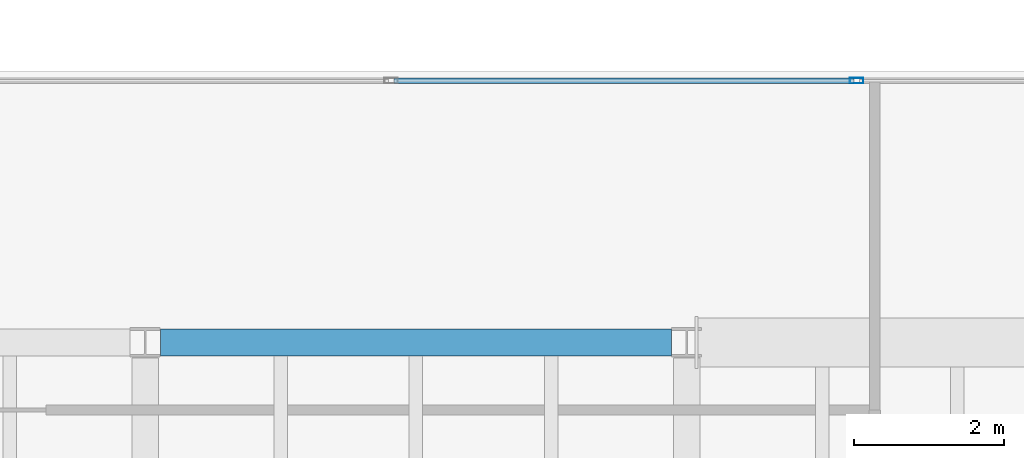
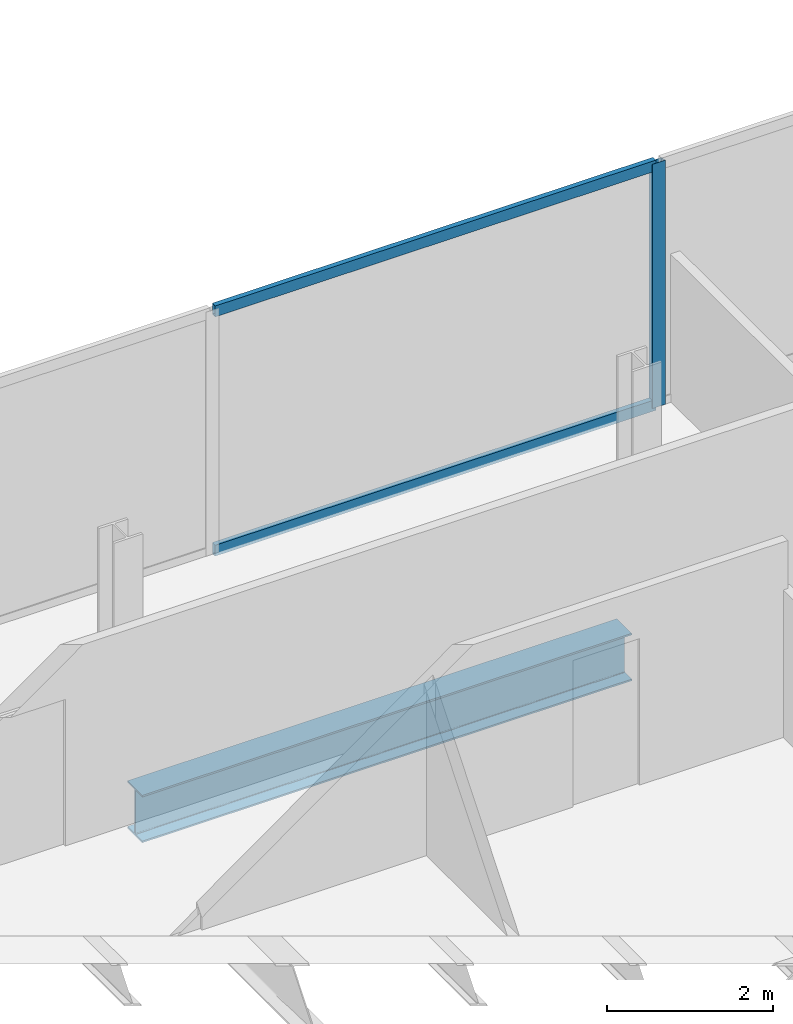
# One storey, part 14 of 23: 3 members, 1 beam, 1 element without a shape of its own.
"""IFC4 building model written with IfcOpenShell, lengths in metres."""

import ifcopenshell
import ifcopenshell.guid

model = None  # the IFC model being written
_history = None  # IfcOwnerHistory: only IFC2X3 demands one
_inside = {}  # id of a spatial element -> (the spatial element, [elements in it])
_under = {}  # id of a project, library or spatial element -> (it, [spatial elements below it])
_declared = {}  # id of a project -> (the project, [libraries it declares])
_typed = {}  # id of a type object -> (the type object, [elements of that type])
_made_of = {}  # id of a material, layer set ... -> (it, [elements and type objects made of it])


def new_model(schema):
    """Start an empty IFC model of exactly this schema.

    Asked for "IFC4X3", IfcOpenShell would pick the latest addendum, in which some entities
    have other attributes; the version numbers below select the first issue.
    IFC2X3 requires an IfcOwnerHistory on every rooted entity: one is made here for all.
    """
    global model, _history
    if schema == "IFC4X3":
        model = ifcopenshell.file(schema_version=(4, 3, 0, 0))
    else:
        model = ifcopenshell.file(schema=schema)
    _inside.clear()
    _under.clear()
    _declared.clear()
    _typed.clear()
    _made_of.clear()
    _history = None
    if model.schema == "IFC2X3":
        org = make("IfcOrganization", Name="unknown")
        user = make(
            "IfcPersonAndOrganization",
            ThePerson=make("IfcPerson", FamilyName="unknown"),
            TheOrganization=org,
        )
        app = make(
            "IfcApplication",
            ApplicationDeveloper=org,
            Version="unknown",
            ApplicationFullName="unknown",
            ApplicationIdentifier="unknown",
        )
        _history = make(
            "IfcOwnerHistory",
            OwningUser=user,
            OwningApplication=app,
            ChangeAction="ADDED",
            CreationDate=0,
        )
    return model


def make(cls, **values):
    """One entity of the class cls with the attributes given. An attribute that is None is left unset."""
    return model.create_entity(
        cls, **{name: value for name, value in values.items() if value is not None}
    )


def rooted(cls, **values):
    """An entity with a GlobalId (a new one), such as an element, a storey or a relation."""
    return make(cls, GlobalId=ifcopenshell.guid.new(), OwnerHistory=_history, **values)


def si_unit(unit_type, name, prefix=None):
    """IfcSIUnit, for example si_unit("LENGTHUNIT", "METRE", prefix="MILLI")."""
    return make("IfcSIUnit", UnitType=unit_type, Prefix=prefix, Name=name)


def assignment(units):
    """IfcUnitAssignment: the units of a project."""
    return None if units is None else make("IfcUnitAssignment", Units=units)


def point(xyz):
    """IfcCartesianPoint."""
    return None if xyz is None else make("IfcCartesianPoint", Coordinates=xyz)


def direction(xyz):
    """IfcDirection."""
    return None if xyz is None else make("IfcDirection", DirectionRatios=xyz)


def frame(location, z_axis=None, x_axis=None):
    """IfcAxis2Placement3D, a coordinate frame: its origin and axes. An axis left out is left unset."""
    return make(
        "IfcAxis2Placement3D",
        Location=point(location),
        Axis=direction(z_axis),
        RefDirection=direction(x_axis),
    )


def frame_2d(location, x_axis=None):
    """IfcAxis2Placement2D, a coordinate frame in the plane: its origin and x axis."""
    return make(
        "IfcAxis2Placement2D", Location=point(location), RefDirection=direction(x_axis)
    )


def origin():
    """The frame at (0, 0, 0) with its axes left unset."""
    return frame((0.0, 0.0, 0.0))


def origin_2d():
    """The frame at (0, 0) in the plane with its x axis left unset."""
    return frame_2d((0.0, 0.0))


def place(relative_to, where):
    """IfcLocalPlacement: puts the frame where relative to a parent placement (None: the world)."""
    return make(
        "IfcLocalPlacement", PlacementRelTo=relative_to, RelativePlacement=where
    )


def context(
    kind, dimensions, precision=None, world=None, true_north=None, identifier=None
):
    """IfcGeometricRepresentationContext, for example the 3D "Model" context."""
    return make(
        "IfcGeometricRepresentationContext",
        ContextIdentifier=identifier,
        ContextType=kind,
        CoordinateSpaceDimension=dimensions,
        Precision=precision,
        WorldCoordinateSystem=world,
        TrueNorth=true_north,
    )


def subcontext(parent, identifier, kind, view, scale=None):
    """IfcGeometricRepresentationSubContext, for example "Body" below "Model"."""
    return make(
        "IfcGeometricRepresentationSubContext",
        ContextIdentifier=identifier,
        ContextType=kind,
        ParentContext=parent,
        TargetScale=scale,
        TargetView=view,
    )


def project(units=None, contexts=None):
    """IfcProject with its units and contexts."""
    return rooted(
        "IfcProject",
        Name="project",
        RepresentationContexts=contexts,
        UnitsInContext=assignment(units),
    )


def spatial(cls, under=None, at=None, **own):
    """A site, building, storey or space (cls), placed at a placement, below another one or the project."""
    s = rooted(cls, ObjectPlacement=at, **own)
    if under is not None:
        _under.setdefault(under.id(), (under, []))[1].append(s)
    return s


def profile(cls, at=None, kind="AREA", **sizes):
    """A parametric profile (cls). Its sizes go by their IFC names, for example OverallWidth=200.0."""
    return make(cls, ProfileType=kind, Position=at, **sizes)


def hollow_rectangle(**sizes):
    """IfcRectangleHollowProfileDef."""
    return profile("IfcRectangleHollowProfileDef", **sizes)


def i_section(**sizes):
    """IfcIShapeProfileDef."""
    return profile("IfcIShapeProfileDef", **sizes)


def extrude(swept, where, along, depth):
    """IfcExtrudedAreaSolid: the profile swept, set in the frame where, extruded along a direction by depth."""
    return make(
        "IfcExtrudedAreaSolid",
        SweptArea=swept,
        Position=where,
        ExtrudedDirection=direction(along),
        Depth=depth,
    )


def shape(context_of_items, identifier, shape_type, items):
    """IfcShapeRepresentation: the items that make up one representation, for example the "Body"."""
    return make(
        "IfcShapeRepresentation",
        ContextOfItems=context_of_items,
        RepresentationIdentifier=identifier,
        RepresentationType=shape_type,
        Items=items,
    )


def material(Name=None, Category=None):
    """IfcMaterial."""
    return make("IfcMaterial", Name=Name, Category=Category)


def material_profile(
    of_material, cross_section, Name=None, Category=None, Priority=None
):
    """IfcMaterialProfile: a cross section and its material."""
    return make(
        "IfcMaterialProfile",
        Name=Name,
        Material=of_material,
        Profile=cross_section,
        Priority=Priority,
        Category=Category,
    )


def profile_set(profiles, Name=None, composite=None):
    """IfcMaterialProfileSet."""
    return make(
        "IfcMaterialProfileSet",
        Name=Name,
        MaterialProfiles=profiles,
        CompositeProfile=composite,
    )


def made_of(thing, what):
    """Note that an element or type object is made of a material, layer set ...; save() writes the relation."""
    if what is not None:
        _made_of.setdefault(what.id(), (what, []))[1].append(thing)
    return thing


def type_object(cls, material=None, **own):
    """A type object (cls), such as IfcWallType, which elements share."""
    return made_of(rooted(cls, **own), material)


def element(
    cls,
    number,
    at=None,
    inside=None,
    cuts=None,
    type_object=None,
    material=None,
    context=None,
    identifier="Body",
    shape_type=None,
    held_by="IfcProductDefinitionShape",
    body=None,
    shapes=None,
    **own,
):
    """One element of the class cls, such as IfcWall. Its Tag is "e" and its number.

    at: its placement. inside: the storey or other place that contains it. cuts: it is an
    opening in that element (IfcRelVoidsElement). A single representation is given by context,
    identifier, shape_type and body (its items); several are given by shapes. held_by: the class
    of the entity that holds the representations. save() writes the other relations.
    """
    e = rooted(cls, Tag="e%d" % number, ObjectPlacement=at, **own)
    if body is not None:
        shapes = [shape(context, identifier, shape_type, body)]
    if shapes is not None:
        e.Representation = make(held_by, Representations=shapes)
    if inside is not None:
        _inside.setdefault(inside.id(), (inside, []))[1].append(e)
    if cuts is not None:
        rooted(
            "IfcRelVoidsElement", RelatingBuildingElement=cuts, RelatedOpeningElement=e
        )
    if type_object is not None:
        _typed.setdefault(type_object.id(), (type_object, []))[1].append(e)
    return made_of(e, material)


def aggregate(whole, parts):
    """IfcRelAggregates: a whole, such as a stair, and the parts it consists of."""
    return rooted("IfcRelAggregates", RelatingObject=whole, RelatedObjects=parts)


def save(model, path):
    """Write the relations noted so far, then the file.

    IfcRelAggregates (storeys below a building ...), IfcRelContainedInSpatialStructure (elements
    in a storey), IfcRelDefinesByType, IfcRelAssociatesMaterial and IfcRelDeclares: one each for
    every whole, place, type object, material and project.
    """
    for whole, parts in _under.values():
        aggregate(whole, parts)
    for where, things in _inside.values():
        rooted(
            "IfcRelContainedInSpatialStructure",
            RelatedElements=things,
            RelatingStructure=where,
        )
    for kind, things in _typed.values():
        rooted("IfcRelDefinesByType", RelatedObjects=things, RelatingType=kind)
    for what, things in _made_of.values():
        rooted("IfcRelAssociatesMaterial", RelatedObjects=things, RelatingMaterial=what)
    for by, libraries in _declared.values():
        rooted("IfcRelDeclares", RelatingContext=by, RelatedDefinitions=libraries)
    model.write(path)


model = new_model("IFC4")

# Units and contexts
model_context = context("Model", 3, precision=1e-05, world=origin(), true_north=direction((0.0, 1.0)))
body_context = subcontext(model_context, "Body", "Model", "MODEL_VIEW")
ifc_project = project(units=[si_unit("LENGTHUNIT", "METRE"), si_unit("AREAUNIT", "SQUARE_METRE"), si_unit("VOLUMEUNIT", "CUBIC_METRE"), si_unit("PLANEANGLEUNIT", "RADIAN"), si_unit("MASSUNIT", "GRAM", prefix="KILO")], contexts=[model_context])

# Site, building, storey
site_placement = place(None, origin())
site = spatial("IfcSite", under=ifc_project, at=site_placement, CompositionType="ELEMENT")
building_placement = place(site_placement, origin())
building = spatial("IfcBuilding", under=site, at=building_placement, Name="Cobrela Telecom Tower", CompositionType="ELEMENT")
storey_placement = place(building_placement, frame((0.0, 0.0, 156.10009765625)))
storey = spatial("IfcBuildingStorey", under=building, at=storey_placement, Name="L39", CompositionType="ELEMENT", Elevation=156.10009765625)

# Beam
ifc_material_1 = material(Name="Steel ASTM A992 Grade 50", Category="steel")
ifc_material_profile_1 = material_profile(ifc_material_1, i_section(OverallWidth=0.35595703125, OverallDepth=0.696044921875, WebThickness=0.015380859375, FlangeThickness=0.024658203125, FilletRadius=0.01806640625, at=origin_2d()), Name="W27X146")
ifc_profile_set_1 = profile_set([ifc_material_profile_1], Name="Steel ASTM A992 Grade 50")
beam_type = type_object("IfcBeamType", Name="BM-GIRD-05", PredefinedType="USERDEFINED", material=ifc_profile_set_1)
beam_placement = place(storey_placement, frame((29.00439453125, 21.60009765625, -0.6181640625), z_axis=(1.0, 0.0, 0.0), x_axis=(0.0, 1.0, 0.0)))
element("IfcBeam", 1, at=beam_placement, inside=storey, type_object=beam_type, Name="L39 Primary Girder X18", ObjectType="GIRDER", PredefinedType="USERDEFINED", context=body_context, shape_type="SweptSolid", body=[
    extrude(i_section(OverallWidth=0.35595703125, OverallDepth=0.696044921875, WebThickness=0.015380859375, FlangeThickness=0.024658203125, FilletRadius=0.01806640625, at=origin_2d()), origin(), (0.0, 0.0, 1.0), 6.791015625),
])

# Curtain wall, members
ifc_material_2 = material(Name="Anodized Bronze Aluminium 6063-T6", Category="aluminium")
curtain_wall_type = type_object("IfcCurtainWallType", Name="CW-SYS-TEL", PredefinedType="USERDEFINED", material=ifc_material_2)
curtain_wall_placement = place(storey_placement, origin())
curtain_wall = element("IfcCurtainWall", 2, at=curtain_wall_placement, inside=storey, type_object=curtain_wall_type, Name="L39 Unitised Bronze Curtain Wall 11", ObjectType="UNITISED CURTAIN WALL", PredefinedType="USERDEFINED")
ifc_material_profile_2 = material_profile(ifc_material_2, hollow_rectangle(XDim=0.074951171875, YDim=0.179931640625, WallThickness=0.00390625, at=origin_2d()), Name="ALU 75x180x4")
ifc_profile_set_2 = profile_set([ifc_material_profile_2], Name="Anodized Bronze Aluminium 6063-T6")
member_type_1 = type_object("IfcMemberType", Name="CW-SYS-TEL-MUL", PredefinedType="MULLION", material=ifc_profile_set_2)
member_1_placement = place(storey_placement, frame((38.260009765625, 25.080078125, 0.0), z_axis=(0.0, 0.0, 1.0), x_axis=(0.0, 1.0, 0.0)))
member_1 = element("IfcMember", 3, at=member_1_placement, type_object=member_type_1, Name="CW-TEL mullion 3", PredefinedType="MULLION", context=body_context, shape_type="SweptSolid", body=[
    extrude(hollow_rectangle(XDim=0.074951171875, YDim=0.179931640625, WallThickness=0.00390625, at=origin_2d()), origin(), (0.0, 0.0, 1.0), 3.579833984375),
])
ifc_material_profile_3 = material_profile(ifc_material_2, hollow_rectangle(XDim=0.070068359375, YDim=0.159912109375, WallThickness=0.00390625, at=origin_2d()), Name="ALU 70x160x4")
ifc_profile_set_3 = profile_set([ifc_material_profile_3], Name="Anodized Bronze Aluminium 6063-T6")
member_type_2 = type_object("IfcMemberType", Name="CW-SYS-TEL-TRN", PredefinedType="USERDEFINED", material=ifc_profile_set_3)
member_2_placement = place(storey_placement, frame((32.107421875, 25.080078125, 0.034912109375), z_axis=(1.0, 0.0, 0.0), x_axis=(0.0, 1.0, 0.0)))
member_2 = element("IfcMember", 4, at=member_2_placement, type_object=member_type_2, Name="CW-TEL transom 2.1", ObjectType="TRANSOM", PredefinedType="USERDEFINED", context=body_context, shape_type="SweptSolid", body=[
    extrude(hollow_rectangle(XDim=0.070068359375, YDim=0.159912109375, WallThickness=0.00390625, at=origin_2d()), origin(), (0.0, 0.0, 1.0), 6.114990234375),
])
member_3_placement = place(storey_placement, frame((32.107421875, 25.080078125, 3.544921875), z_axis=(1.0, 0.0, 0.0), x_axis=(0.0, 1.0, 0.0)))
member_3 = element("IfcMember", 5, at=member_3_placement, type_object=member_type_2, Name="CW-TEL transom 2.2", ObjectType="TRANSOM", PredefinedType="USERDEFINED", context=body_context, shape_type="SweptSolid", body=[
    extrude(hollow_rectangle(XDim=0.070068359375, YDim=0.159912109375, WallThickness=0.00390625, at=origin_2d()), origin(), (0.0, 0.0, 1.0), 6.114990234375),
])
aggregate(curtain_wall, [member_1, member_2, member_3])

save(model, "model.ifc")
